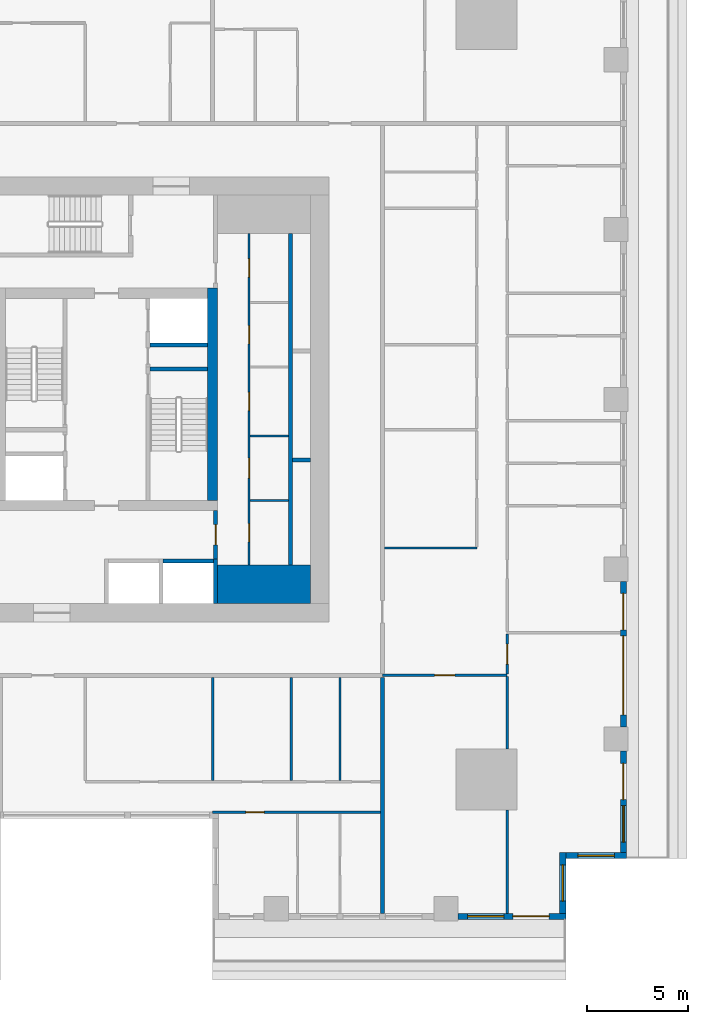
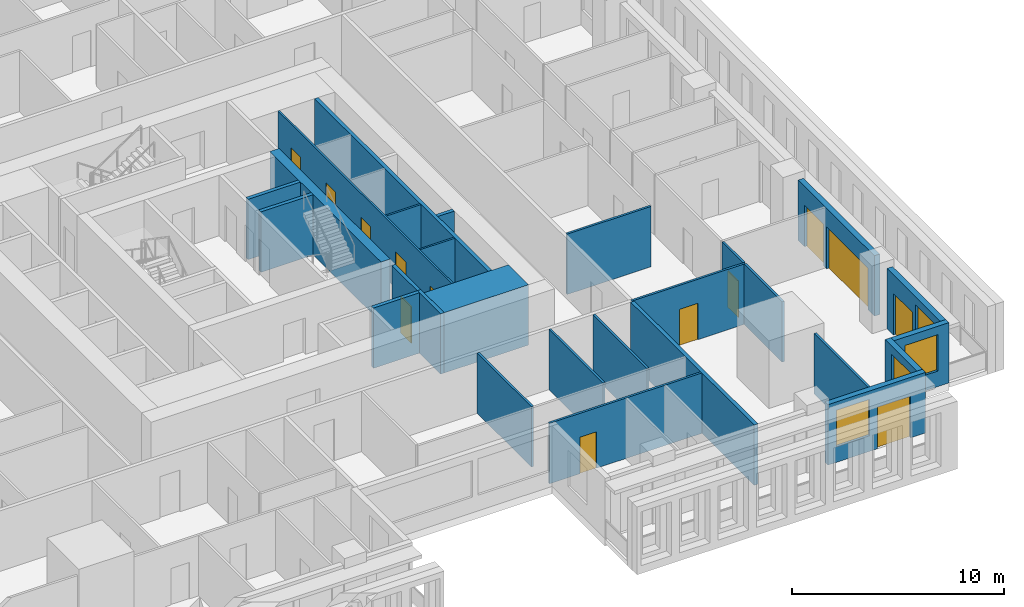
# One storey, part 5 of 15: 27 walls, 13 doors, 4 windows, 17 openings.
"""IFC4 building model written with IfcOpenShell, lengths in metres."""

from ifc_helpers import new_model, si_unit, direction, frame, frame_2d, origin, place, context, subcontext, project, spatial, rectangle, extrude, material, layer, layer_set, type_object, element, fill, save


model = new_model("IFC4")

# Units and contexts
model_context = context("Model", 3, precision=1e-05, world=origin(), true_north=direction((0.0, 1.0)))
body_context = subcontext(model_context, "Body", "Model", "MODEL_VIEW")
ifc_project = project(units=[si_unit("LENGTHUNIT", "METRE"), si_unit("AREAUNIT", "SQUARE_METRE"), si_unit("VOLUMEUNIT", "CUBIC_METRE"), si_unit("PLANEANGLEUNIT", "RADIAN"), si_unit("MASSUNIT", "GRAM", prefix="KILO")], contexts=[model_context])

# Site, building, storey
site_placement = place(None, origin())
site = spatial("IfcSite", under=ifc_project, at=site_placement, CompositionType="ELEMENT")
building_placement = place(site_placement, origin())
building = spatial("IfcBuilding", under=site, at=building_placement, Name="Khepri Terraces", CompositionType="ELEMENT")
storey_placement = place(building_placement, frame((0.0, 0.0, 38.699951171875)))
storey = spatial("IfcBuildingStorey", under=building, at=storey_placement, Name="L08", CompositionType="ELEMENT", Elevation=38.699951171875)

# Walls
ifc_material_1 = material(Name="Concrete C80/95", Category="concrete")
ifc_layer_1 = layer(ifc_material_1, 1.89990234375, Name="Concrete C80/95", Category="concrete")
ifc_layer_set_1 = layer_set([ifc_layer_1], Name="Concrete C80/95")
wall_type_1 = type_object("IfcWallType", Name="Core wall 1900 C80/95", PredefinedType="SHEAR", material=ifc_layer_set_1)
wall_1_placement = place(storey_placement, frame((5.5, -9.14990234375, 0.0), z_axis=(0.0, 0.0, 1.0), x_axis=(1.0, 0.0, 0.0)))
element("IfcWall", 1, at=wall_1_placement, inside=storey, type_object=wall_type_1, Name="Core wall PR02 L08", PredefinedType="SHEAR", context=body_context, shape_type="SweptSolid", body=[
    extrude(rectangle(XDim=4.60009765625, YDim=1.89990234375, at=frame_2d((2.300048828125, 0.0))), origin(), (0.0, 0.0, 1.0), 3.47998046875),
])
ifc_layer_2 = layer(ifc_material_1, 0.199951171875, Name="Concrete C80/95", Category="concrete")
ifc_layer_set_2 = layer_set([ifc_layer_2], Name="Concrete C80/95")
wall_type_2 = type_object("IfcWallType", Name="Core wall 200 C80/95", PredefinedType="SHEAR", material=ifc_layer_set_2)
wall_2_placement = place(storey_placement, frame((2.14990234375, 1.5, 0.0), z_axis=(0.0, 0.0, 1.0), x_axis=(1.0, 0.0, 0.0)))
element("IfcWall", 2, at=wall_2_placement, inside=storey, type_object=wall_type_2, Name="Core wall ST04 L08", PredefinedType="SHEAR", context=body_context, shape_type="SweptSolid", body=[
    extrude(rectangle(XDim=2.85009765625, YDim=0.199951171875, at=frame_2d((1.425048828125, 0.0))), origin(), (0.0, 0.0, 1.0), 3.47998046875),
])
wall_3_placement = place(storey_placement, frame((5.39990234375, -10.10009765625, 0.0), z_axis=(0.0, 0.0, 1.0), x_axis=(0.0, 1.0, 0.0)))
element("IfcWall", 3, at=wall_3_placement, inside=storey, type_object=wall_type_2, Name="Core wall SH03 L08", PredefinedType="SHEAR", context=body_context, shape_type="SweptSolid", body=[
    extrude(rectangle(XDim=2.2001953125, YDim=0.199951171875, at=frame_2d((1.10009765625, 0.0))), origin(), (0.0, 0.0, 1.0), 3.47998046875),
])
wall_4_placement = place(storey_placement, frame((9.10009765625, -8.199951171875, 0.0), z_axis=(0.0, 0.0, 1.0), x_axis=(0.0, 1.0, 0.0)))
element("IfcWall", 4, at=wall_4_placement, inside=storey, type_object=wall_type_2, Name="Core wall SH05 L08", PredefinedType="SHEAR", context=body_context, shape_type="SweptSolid", body=[
    extrude(rectangle(XDim=16.39990234375, YDim=0.199951171875, at=frame_2d((8.199951171875, 0.0))), origin(), (0.0, 0.0, 1.0), 3.47998046875),
])
wall_5_placement = place(storey_placement, frame((2.800048828125, -8.0, 0.0), z_axis=(0.0, 0.0, 1.0), x_axis=(1.0, 0.0, 0.0)))
element("IfcWall", 5, at=wall_5_placement, inside=storey, type_object=wall_type_2, Name="Core wall SH07 L08", PredefinedType="SHEAR", context=body_context, shape_type="SweptSolid", body=[
    extrude(rectangle(XDim=2.5, YDim=0.199951171875, at=frame_2d((1.25, 0.0))), origin(), (0.0, 0.0, 1.0), 3.47998046875),
])
wall_6_placement = place(storey_placement, frame((9.199951171875, -3.0, 0.0), z_axis=(0.0, 0.0, 1.0), x_axis=(1.0, 0.0, 0.0)))
element("IfcWall", 6, at=wall_6_placement, inside=storey, type_object=wall_type_2, Name="Core wall SH11 L08", PredefinedType="SHEAR", context=body_context, shape_type="SweptSolid", body=[
    extrude(rectangle(XDim=0.900146484375, YDim=0.199951171875, at=frame_2d((0.4501953125, 0.0))), origin(), (0.0, 0.0, 1.0), 3.47998046875),
])
wall_7_placement = place(storey_placement, frame((2.14990234375, 2.699951171875, 0.0), z_axis=(0.0, 0.0, 1.0), x_axis=(1.0, 0.0, 0.0)))
element("IfcWall", 7, at=wall_7_placement, inside=storey, type_object=wall_type_2, Name="Core wall SH18 L08", PredefinedType="SHEAR", context=body_context, shape_type="SweptSolid", body=[
    extrude(rectangle(XDim=2.85009765625, YDim=0.199951171875, at=frame_2d((1.425048828125, 0.0))), origin(), (0.0, 0.0, 1.0), 3.47998046875),
])
ifc_layer_3 = layer(ifc_material_1, 0.5, Name="Concrete C80/95", Category="concrete")
ifc_layer_set_3 = layer_set([ifc_layer_3], Name="Concrete C80/95")
wall_type_3 = type_object("IfcWallType", Name="Core wall 500 C80/95", PredefinedType="SHEAR", material=ifc_layer_set_3)
wall_8_placement = place(storey_placement, frame((5.25, -5.0, 0.0), z_axis=(0.0, 0.0, 1.0), x_axis=(0.0, 1.0, 0.0)))
element("IfcWall", 8, at=wall_8_placement, inside=storey, type_object=wall_type_3, Name="Core wall BX03 L08", PredefinedType="SHEAR", context=body_context, shape_type="SweptSolid", body=[
    extrude(rectangle(XDim=10.5, YDim=0.5, at=frame_2d((5.25, 0.0))), origin(), (0.0, 0.0, 1.0), 3.47998046875),
])

# Wall, openings, doors
ifc_material_2 = material(Name="Fire-rated gypsum board partition")
ifc_layer_4 = layer(ifc_material_2, 0.10009765625, Name="Fire-rated gypsum board partition")
ifc_layer_set_4 = layer_set([ifc_layer_4], Name="Fire-rated gypsum board partition")
wall_type_4 = type_object("IfcWallType", Name="WL-CORE-PART-100", PredefinedType="PARTITIONING", material=ifc_layer_set_4)
wall_9_placement = place(storey_placement, frame((7.050048828125, -8.199951171875, 0.0), z_axis=(0.0, 0.0, 1.0), x_axis=(0.0, 1.0, 0.0)))
wall_9 = element("IfcWall", 9, at=wall_9_placement, inside=storey, type_object=wall_type_4, Name="Core partition PT02 L08", PredefinedType="PARTITIONING", context=body_context, shape_type="SweptSolid", body=[
    extrude(rectangle(XDim=16.39990234375, YDim=0.10009765625, at=frame_2d((8.199951171875, 0.0))), origin(), (0.0, 0.0, 1.0), 3.47998046875),
])
opening_1_placement = place(wall_9_placement, frame((1.14990234375, 0.0, 0.0)))
opening_1 = element("IfcOpeningElement", 10, at=opening_1_placement, cuts=wall_9, Name="Opening L08-C22", PredefinedType="OPENING", context=body_context, shape_type="SweptSolid", body=[
    extrude(rectangle(XDim=0.89990234375, YDim=2.10009765625, at=frame_2d((0.449951171875, 1.050048828125))), frame((0.0, 0.06005859375, 0.0), z_axis=(0.0, -1.0, 0.0), x_axis=(1.0, 0.0, 0.0)), (0.0, 0.0, 1.0), 0.1201171875),
])
opening_2_placement = place(wall_9_placement, frame((4.300048828125, 0.0, 0.0)))
opening_2 = element("IfcOpeningElement", 11, at=opening_2_placement, cuts=wall_9, Name="Opening L08-C23", PredefinedType="OPENING", context=body_context, shape_type="SweptSolid", body=[
    extrude(rectangle(XDim=1.0, YDim=2.10009765625, at=frame_2d((0.5, 1.050048828125))), frame((0.0, 0.06005859375, 0.0), z_axis=(0.0, -1.0, 0.0), x_axis=(1.0, 0.0, 0.0)), (0.0, 0.0, 1.0), 0.1201171875),
])
opening_3_placement = place(wall_9_placement, frame((7.64990234375, 0.0, 0.0)))
opening_3 = element("IfcOpeningElement", 12, at=opening_3_placement, cuts=wall_9, Name="Opening L08-C24", PredefinedType="OPENING", context=body_context, shape_type="SweptSolid", body=[
    extrude(rectangle(XDim=0.89990234375, YDim=2.10009765625, at=frame_2d((0.449951171875, 1.050048828125))), frame((0.0, 0.06005859375, 0.0), z_axis=(0.0, -1.0, 0.0), x_axis=(1.0, 0.0, 0.0)), (0.0, 0.0, 1.0), 0.1201171875),
])
opening_4_placement = place(wall_9_placement, frame((10.949951171875, 0.0, 0.0)))
opening_4 = element("IfcOpeningElement", 13, at=opening_4_placement, cuts=wall_9, Name="Opening L08-C25", PredefinedType="OPENING", context=body_context, shape_type="SweptSolid", body=[
    extrude(rectangle(XDim=0.89990234375, YDim=2.10009765625, at=frame_2d((0.449951171875, 1.050048828125))), frame((0.0, 0.06005859375, 0.0), z_axis=(0.0, -1.0, 0.0), x_axis=(1.0, 0.0, 0.0)), (0.0, 0.0, 1.0), 0.1201171875),
])
opening_5_placement = place(wall_9_placement, frame((14.25, 0.0, 0.0)))
opening_5 = element("IfcOpeningElement", 14, at=opening_5_placement, cuts=wall_9, Name="Opening L08-C26", PredefinedType="OPENING", context=body_context, shape_type="SweptSolid", body=[
    extrude(rectangle(XDim=0.89990234375, YDim=2.10009765625, at=frame_2d((0.449951171875, 1.050048828125))), frame((0.0, 0.06005859375, 0.0), z_axis=(0.0, -1.0, 0.0), x_axis=(1.0, 0.0, 0.0)), (0.0, 0.0, 1.0), 0.1201171875),
])
ifc_material_3 = material(Name="Painted steel", Category="steel")
door_type_1 = type_object("IfcDoorType", Name="DR-CORE-SERVICE-900", OperationType="NOTDEFINED", PredefinedType="DOOR", material=ifc_material_3)
door_1_placement = place(opening_1_placement, frame((0.89990234375, 0.0, 0.0), z_axis=(0.0, 0.0, 1.0), x_axis=(-1.0, 0.0, 0.0)))
door_1 = element("IfcDoor", 15, at=door_1_placement, inside=storey, type_object=door_type_1, Name="Service room door L08-C22", OperationType="SINGLE_SWING_RIGHT", OverallHeight=2.10009765625, OverallWidth=0.89990234375, PredefinedType="DOOR", context=body_context, shape_type="SweptSolid", body=[
    extrude(rectangle(XDim=0.89990234375, YDim=2.10009765625, at=frame_2d((0.449951171875, 1.050048828125))), frame((0.0, 0.02490234375, 0.0), z_axis=(0.0, -1.0, 0.0), x_axis=(1.0, 0.0, 0.0)), (0.0, 0.0, 1.0), 0.050048828125),
])
fill(opening_1, door_1)
door_2_placement = place(opening_3_placement, frame((0.89990234375, 0.0, 0.0), z_axis=(0.0, 0.0, 1.0), x_axis=(-1.0, 0.0, 0.0)))
door_2 = element("IfcDoor", 16, at=door_2_placement, inside=storey, type_object=door_type_1, Name="Service room door L08-C24", OperationType="SINGLE_SWING_RIGHT", OverallHeight=2.10009765625, OverallWidth=0.89990234375, PredefinedType="DOOR", context=body_context, shape_type="SweptSolid", body=[
    extrude(rectangle(XDim=0.89990234375, YDim=2.10009765625, at=frame_2d((0.449951171875, 1.050048828125))), frame((0.0, 0.02490234375, 0.0), z_axis=(0.0, -1.0, 0.0), x_axis=(1.0, 0.0, 0.0)), (0.0, 0.0, 1.0), 0.050048828125),
])
fill(opening_3, door_2)
door_3_placement = place(opening_4_placement, frame((0.89990234375, 0.0, 0.0), z_axis=(0.0, 0.0, 1.0), x_axis=(-1.0, 0.0, 0.0)))
door_3 = element("IfcDoor", 17, at=door_3_placement, inside=storey, type_object=door_type_1, Name="Service room door L08-C25", OperationType="SINGLE_SWING_LEFT", OverallHeight=2.10009765625, OverallWidth=0.89990234375, PredefinedType="DOOR", context=body_context, shape_type="SweptSolid", body=[
    extrude(rectangle(XDim=0.89990234375, YDim=2.10009765625, at=frame_2d((0.449951171875, 1.050048828125))), frame((0.0, 0.02490234375, 0.0), z_axis=(0.0, -1.0, 0.0), x_axis=(1.0, 0.0, 0.0)), (0.0, 0.0, 1.0), 0.050048828125),
])
fill(opening_4, door_3)
door_4_placement = place(opening_5_placement, frame((0.89990234375, 0.0, 0.0), z_axis=(0.0, 0.0, 1.0), x_axis=(-1.0, 0.0, 0.0)))
door_4 = element("IfcDoor", 18, at=door_4_placement, inside=storey, type_object=door_type_1, Name="Service room door L08-C26", OperationType="SINGLE_SWING_LEFT", OverallHeight=2.10009765625, OverallWidth=0.89990234375, PredefinedType="DOOR", context=body_context, shape_type="SweptSolid", body=[
    extrude(rectangle(XDim=0.89990234375, YDim=2.10009765625, at=frame_2d((0.449951171875, 1.050048828125))), frame((0.0, 0.02490234375, 0.0), z_axis=(0.0, -1.0, 0.0), x_axis=(1.0, 0.0, 0.0)), (0.0, 0.0, 1.0), 0.050048828125),
])
fill(opening_5, door_4)
ifc_material_4 = material(Name="Timber veneer", Category="wood")
door_type_2 = type_object("IfcDoorType", Name="DR-CORE-WC-1000", OperationType="NOTDEFINED", PredefinedType="DOOR", material=ifc_material_4)
door_5_placement = place(opening_2_placement, frame((1.0, 0.0, 0.0), z_axis=(0.0, 0.0, 1.0), x_axis=(-1.0, 0.0, 0.0)))
door_5 = element("IfcDoor", 19, at=door_5_placement, inside=storey, type_object=door_type_2, Name="WC door L08-C23", OperationType="SINGLE_SWING_RIGHT", OverallHeight=2.10009765625, OverallWidth=1.0, PredefinedType="DOOR", context=body_context, shape_type="SweptSolid", body=[
    extrude(rectangle(XDim=1.0, YDim=2.10009765625, at=frame_2d((0.5, 1.050048828125))), frame((0.0, 0.02490234375, 0.0), z_axis=(0.0, -1.0, 0.0), x_axis=(1.0, 0.0, 0.0)), (0.0, 0.0, 1.0), 0.050048828125),
])
fill(opening_2, door_5)

# Walls
for number, where, z_axis, x_axis, name in (
    (20, (7.10009765625, -5.0, 0.0), (0.0, 0.0, 1.0), (1.0, 0.0, 0.0), "Core partition PT04 L08"),
    (21, (7.10009765625, -1.800048828125, 0.0), (0.0, 0.0, 1.0), (1.0, 0.0, 0.0), "Core partition PT05 L08"),
):
    element("IfcWall", number, at=place(storey_placement, frame(where, z_axis=z_axis, x_axis=x_axis)), inside=storey, type_object=wall_type_4, Name=name, PredefinedType="PARTITIONING", context=body_context, shape_type="SweptSolid", body=[
        extrude(rectangle(XDim=1.89990234375, YDim=0.10009765625, at=frame_2d((0.949951171875, 0.0))), origin(), (0.0, 0.0, 1.0), 3.47998046875),
    ])

# Wall, opening, door
ifc_layer_5 = layer(ifc_material_2, 0.199951171875, Name="Fire-rated gypsum board partition")
ifc_layer_set_5 = layer_set([ifc_layer_5], Name="Fire-rated gypsum board partition")
wall_type_5 = type_object("IfcWallType", Name="WL-CORE-PART-200", PredefinedType="PARTITIONING", material=ifc_layer_set_5)
wall_10_placement = place(storey_placement, frame((5.39990234375, -7.89990234375, 0.0), z_axis=(0.0, 0.0, 1.0), x_axis=(0.0, 1.0, 0.0)))
wall_10 = element("IfcWall", 22, at=wall_10_placement, inside=storey, type_object=wall_type_5, Name="Core partition PT03 L08", PredefinedType="PARTITIONING", context=body_context, shape_type="SweptSolid", body=[
    extrude(rectangle(XDim=2.39990234375, YDim=0.199951171875, at=frame_2d((1.199951171875, 0.0))), origin(), (0.0, 0.0, 1.0), 3.47998046875),
])
opening_6_placement = place(wall_10_placement, frame((0.699951171875, 0.0, 0.0)))
opening_6 = element("IfcOpeningElement", 23, at=opening_6_placement, cuts=wall_10, Name="Opening L08-C19", PredefinedType="OPENING", context=body_context, shape_type="SweptSolid", body=[
    extrude(rectangle(XDim=1.0, YDim=2.10009765625, at=frame_2d((0.5, 1.050048828125))), frame((0.0, 0.10986328125, 0.0), z_axis=(0.0, -1.0, 0.0), x_axis=(1.0, 0.0, 0.0)), (0.0, 0.0, 1.0), 0.219970703125),
])
door_type_3 = type_object("IfcDoorType", Name="DR-CORE-LOBBY-1000", OperationType="NOTDEFINED", PredefinedType="DOOR", material=ifc_material_3)
door_6_placement = place(opening_6_placement, origin())
door_6 = element("IfcDoor", 24, at=door_6_placement, inside=storey, type_object=door_type_3, Name="Lobby door L08-C19", OperationType="SINGLE_SWING_RIGHT", OverallHeight=2.10009765625, OverallWidth=1.0, PredefinedType="DOOR", context=body_context, shape_type="SweptSolid", body=[
    extrude(rectangle(XDim=1.0, YDim=2.10009765625, at=frame_2d((0.5, 1.050048828125))), frame((0.0, 0.02490234375, 0.0), z_axis=(0.0, -1.0, 0.0), x_axis=(1.0, 0.0, 0.0)), (0.0, 0.0, 1.0), 0.050048828125),
])
fill(opening_6, door_6)

# Wall
ifc_material_5 = material(Name="Fire-rated gypsum plasterboard partition, mineral wool")
ifc_layer_6 = layer(ifc_material_5, 0.199951171875, Name="Fire-rated gypsum plasterboard partition, mineral wool")
ifc_layer_set_6 = layer_set([ifc_layer_6], Name="Fire-rated gypsum plasterboard partition, mineral wool")
wall_type_6 = type_object("IfcWallType", Name="WL-CORR-200", PredefinedType="PARTITIONING", material=ifc_layer_set_6)
wall_11_placement = place(storey_placement, frame((13.64990234375, -25.419921875, 0.0), z_axis=(0.0, 0.0, 1.0), x_axis=(0.0, 1.0, 0.0)))
element("IfcWall", 25, at=wall_11_placement, inside=storey, type_object=wall_type_6, Name="Partition P-006 L08", PredefinedType="PARTITIONING", context=body_context, shape_type="SweptSolid", body=[
    extrude(rectangle(XDim=11.669921875, YDim=0.199951171875, at=frame_2d((5.8349609375, 0.0))), origin(), (0.0, 0.0, 1.0), 3.47998046875),
])

# Wall, opening, window
ifc_material_6 = material(Name="Precast concrete C50/60 warm stone", Category="masonry")
ifc_layer_7 = layer(ifc_material_6, 0.300048828125, Name="Precast concrete C50/60 warm stone", Category="masonry")
ifc_layer_set_7 = layer_set([ifc_layer_7], Name="Precast concrete C50/60 warm stone")
wall_type_7 = type_object("IfcWallType", Name="WL-EXT-PRECAST-300", PredefinedType="STANDARD", material=ifc_layer_set_7)
wall_12_placement = place(storey_placement, frame((22.719970703125, -22.570068359375, 0.0), z_axis=(0.0, 0.0, 1.0), x_axis=(1.0, 0.0, 0.0)))
wall_12 = element("IfcWall", 26, at=wall_12_placement, inside=storey, type_object=wall_type_7, Name="External wall L08 S", PredefinedType="STANDARD", context=body_context, shape_type="SweptSolid", body=[
    extrude(rectangle(XDim=3.0, YDim=0.300048828125, at=frame_2d((1.5, 0.0))), origin(), (0.0, 0.0, 1.0), 3.47998046875),
])
opening_7_placement = place(wall_12_placement, frame((0.60009765625, 0.0, 0.89990234375)))
opening_7 = element("IfcOpeningElement", 27, at=opening_7_placement, cuts=wall_12, Name="Opening W1", PredefinedType="OPENING", context=body_context, shape_type="SweptSolid", body=[
    extrude(rectangle(XDim=1.800048828125, YDim=2.10009765625, at=frame_2d((0.89990234375, 1.050048828125))), frame((0.0, 0.16015625, 0.0), z_axis=(0.0, -1.0, 0.0), x_axis=(1.0, 0.0, 0.0)), (0.0, 0.0, 1.0), 0.320068359375),
])
ifc_material_7 = material(Name="Clear glass", Category="glass")
window_type = type_object("IfcWindowType", Name="WIN-RES-1800x2100", PartitioningType="SINGLE_PANEL", PredefinedType="WINDOW", material=ifc_material_7)
window_1_placement = place(opening_7_placement, origin())
window_1 = element("IfcWindow", 28, at=window_1_placement, inside=storey, type_object=window_type, Name="Window L08 S", OverallHeight=2.10009765625, OverallWidth=1.800048828125, PartitioningType="SINGLE_PANEL", PredefinedType="WINDOW", context=body_context, shape_type="SweptSolid", body=[
    extrude(rectangle(XDim=1.800048828125, YDim=2.10009765625, at=frame_2d((0.89990234375, 1.050048828125))), frame((0.0, 0.030029296875, 0.0), z_axis=(0.0, -1.0, 0.0), x_axis=(1.0, 0.0, 0.0)), (0.0, 0.0, 1.0), 0.06005859375),
])
fill(opening_7, window_1)

# Wall, openings, door, window
wall_13_placement = place(storey_placement, frame((25.570068359375, -22.419921875, 0.0), z_axis=(0.0, 0.0, 1.0), x_axis=(0.0, 1.0, 0.0)))
wall_13 = element("IfcWall", 29, at=wall_13_placement, inside=storey, type_object=wall_type_7, Name="External wall L08 E", PredefinedType="STANDARD", context=body_context, shape_type="SweptSolid", body=[
    extrude(rectangle(XDim=5.02001953125, YDim=0.300048828125, at=frame_2d((2.510009765625, 0.0))), origin(), (0.0, 0.0, 1.0), 3.47998046875),
])
opening_8_placement = place(wall_13_placement, frame((0.52001953125, 0.0, 0.89990234375)))
opening_8 = element("IfcOpeningElement", 30, at=opening_8_placement, cuts=wall_13, Name="Opening W1", PredefinedType="OPENING", context=body_context, shape_type="SweptSolid", body=[
    extrude(rectangle(XDim=1.800048828125, YDim=2.10009765625, at=frame_2d((0.89990234375, 1.050048828125))), frame((0.0, 0.16015625, 0.0), z_axis=(0.0, -1.0, 0.0), x_axis=(1.0, 0.0, 0.0)), (0.0, 0.0, 1.0), 0.320068359375),
])
opening_9_placement = place(wall_13_placement, frame((2.6201171875, 0.0, 0.0)))
opening_9 = element("IfcOpeningElement", 31, at=opening_9_placement, cuts=wall_13, Name="Opening ED-L08-01", PredefinedType="OPENING", context=body_context, shape_type="SweptSolid", body=[
    extrude(rectangle(XDim=1.800048828125, YDim=2.39990234375, at=frame_2d((0.89990234375, 1.199951171875))), frame((0.0, 0.16015625, 0.0), z_axis=(0.0, -1.0, 0.0), x_axis=(1.0, 0.0, 0.0)), (0.0, 0.0, 1.0), 0.320068359375),
])
ifc_material_8 = material(Name="Anodised aluminium bronze glazed door", Category="aluminium")
door_type_4 = type_object("IfcDoorType", Name="DR-BAL-SLIDE-1800x2400", OperationType="NOTDEFINED", PredefinedType="DOOR", material=ifc_material_8)
door_7_placement = place(opening_9_placement, origin())
door_7 = element("IfcDoor", 32, at=door_7_placement, inside=storey, type_object=door_type_4, Name="Balcony door L08 E", OperationType="SLIDING_TO_RIGHT", OverallHeight=2.39990234375, OverallWidth=1.800048828125, PredefinedType="DOOR", context=body_context, shape_type="SweptSolid", body=[
    extrude(rectangle(XDim=1.800048828125, YDim=2.39990234375, at=frame_2d((0.89990234375, 1.199951171875))), frame((0.0, 0.02490234375, 0.0), z_axis=(0.0, -1.0, 0.0), x_axis=(1.0, 0.0, 0.0)), (0.0, 0.0, 1.0), 0.050048828125),
])
fill(opening_9, door_7)
window_2_placement = place(opening_8_placement, origin())
window_2 = element("IfcWindow", 33, at=window_2_placement, inside=storey, type_object=window_type, Name="Window L08 E", OverallHeight=2.10009765625, OverallWidth=1.800048828125, PartitioningType="SINGLE_PANEL", PredefinedType="WINDOW", context=body_context, shape_type="SweptSolid", body=[
    extrude(rectangle(XDim=1.800048828125, YDim=2.10009765625, at=frame_2d((0.89990234375, 1.050048828125))), frame((0.0, 0.030029296875, 0.0), z_axis=(0.0, -1.0, 0.0), x_axis=(1.0, 0.0, 0.0)), (0.0, 0.0, 1.0), 0.06005859375),
])
fill(opening_8, window_2)

# Wall, openings, doors
wall_14_placement = place(storey_placement, frame((25.570068359375, -16.199951171875, 0.0), z_axis=(0.0, 0.0, 1.0), x_axis=(0.0, 1.0, 0.0)))
wall_14 = element("IfcWall", 34, at=wall_14_placement, inside=storey, type_object=wall_type_7, Name="External wall L08 E", PredefinedType="STANDARD", context=body_context, shape_type="SweptSolid", body=[
    extrude(rectangle(XDim=7.199951171875, YDim=0.300048828125, at=frame_2d((3.60009765625, 0.0))), origin(), (0.0, 0.0, 1.0), 3.47998046875),
])
opening_10_placement = place(wall_14_placement, frame((0.60009765625, 0.0, 0.0)))
opening_10 = element("IfcOpeningElement", 35, at=opening_10_placement, cuts=wall_14, Name="Opening ED-L08-02", PredefinedType="OPENING", context=body_context, shape_type="SweptSolid", body=[
    extrude(rectangle(XDim=3.89990234375, YDim=2.39990234375, at=frame_2d((1.949951171875, 1.199951171875))), frame((0.0, 0.16015625, 0.0), z_axis=(0.0, -1.0, 0.0), x_axis=(1.0, 0.0, 0.0)), (0.0, 0.0, 1.0), 0.320068359375),
])
opening_11_placement = place(wall_14_placement, frame((4.800048828125, 0.0, 0.0)))
opening_11 = element("IfcOpeningElement", 36, at=opening_11_placement, cuts=wall_14, Name="Opening ED-L08-03", PredefinedType="OPENING", context=body_context, shape_type="SweptSolid", body=[
    extrude(rectangle(XDim=1.800048828125, YDim=2.39990234375, at=frame_2d((0.89990234375, 1.199951171875))), frame((0.0, 0.16015625, 0.0), z_axis=(0.0, -1.0, 0.0), x_axis=(1.0, 0.0, 0.0)), (0.0, 0.0, 1.0), 0.320068359375),
])
door_8_placement = place(opening_11_placement, origin())
door_8 = element("IfcDoor", 37, at=door_8_placement, inside=storey, type_object=door_type_4, Name="Balcony door L08 E", OperationType="SLIDING_TO_RIGHT", OverallHeight=2.39990234375, OverallWidth=1.800048828125, PredefinedType="DOOR", context=body_context, shape_type="SweptSolid", body=[
    extrude(rectangle(XDim=1.800048828125, YDim=2.39990234375, at=frame_2d((0.89990234375, 1.199951171875))), frame((0.0, 0.02490234375, 0.0), z_axis=(0.0, -1.0, 0.0), x_axis=(1.0, 0.0, 0.0)), (0.0, 0.0, 1.0), 0.050048828125),
])
fill(opening_11, door_8)
door_type_5 = type_object("IfcDoorType", Name="DR-BAL-SLIDE-3900x2400", OperationType="NOTDEFINED", PredefinedType="DOOR", material=ifc_material_8)
door_9_placement = place(opening_10_placement, origin())
door_9 = element("IfcDoor", 38, at=door_9_placement, inside=storey, type_object=door_type_5, Name="Balcony door L08 E", OperationType="SLIDING_TO_LEFT", OverallHeight=2.39990234375, OverallWidth=3.89990234375, PredefinedType="DOOR", context=body_context, shape_type="SweptSolid", body=[
    extrude(rectangle(XDim=3.89990234375, YDim=2.39990234375, at=frame_2d((1.949951171875, 1.199951171875))), frame((0.0, 0.02490234375, 0.0), z_axis=(0.0, -1.0, 0.0), x_axis=(1.0, 0.0, 0.0)), (0.0, 0.0, 1.0), 0.050048828125),
])
fill(opening_10, door_9)

# Wall, openings, door, window
wall_15_placement = place(storey_placement, frame((17.39990234375, -25.570068359375, 0.0), z_axis=(0.0, 0.0, 1.0), x_axis=(1.0, 0.0, 0.0)))
wall_15 = element("IfcWall", 39, at=wall_15_placement, inside=storey, type_object=wall_type_7, Name="External wall L08 S", PredefinedType="STANDARD", context=body_context, shape_type="SweptSolid", body=[
    extrude(rectangle(XDim=5.320068359375, YDim=0.300048828125, at=frame_2d((2.66015625, 0.0))), origin(), (0.0, 0.0, 1.0), 3.47998046875),
])
opening_12_placement = place(wall_15_placement, frame((2.699951171875, 0.0, 0.0)))
opening_12 = element("IfcOpeningElement", 40, at=opening_12_placement, cuts=wall_15, Name="Opening ED-L08-23", PredefinedType="OPENING", context=body_context, shape_type="SweptSolid", body=[
    extrude(rectangle(XDim=1.800048828125, YDim=2.39990234375, at=frame_2d((0.89990234375, 1.199951171875))), frame((0.0, 0.16015625, 0.0), z_axis=(0.0, -1.0, 0.0), x_axis=(1.0, 0.0, 0.0)), (0.0, 0.0, 1.0), 0.320068359375),
])
opening_13_placement = place(wall_15_placement, frame((0.4599609375, 0.0, 0.89990234375)))
opening_13 = element("IfcOpeningElement", 41, at=opening_13_placement, cuts=wall_15, Name="Opening W1", PredefinedType="OPENING", context=body_context, shape_type="SweptSolid", body=[
    extrude(rectangle(XDim=1.800048828125, YDim=2.10009765625, at=frame_2d((0.89990234375, 1.050048828125))), frame((0.0, 0.16015625, 0.0), z_axis=(0.0, -1.0, 0.0), x_axis=(1.0, 0.0, 0.0)), (0.0, 0.0, 1.0), 0.320068359375),
])
door_10_placement = place(opening_12_placement, origin())
door_10 = element("IfcDoor", 42, at=door_10_placement, inside=storey, type_object=door_type_4, Name="Balcony door L08 S", OperationType="SLIDING_TO_LEFT", OverallHeight=2.39990234375, OverallWidth=1.800048828125, PredefinedType="DOOR", context=body_context, shape_type="SweptSolid", body=[
    extrude(rectangle(XDim=1.800048828125, YDim=2.39990234375, at=frame_2d((0.89990234375, 1.199951171875))), frame((0.0, 0.02490234375, 0.0), z_axis=(0.0, -1.0, 0.0), x_axis=(1.0, 0.0, 0.0)), (0.0, 0.0, 1.0), 0.050048828125),
])
fill(opening_12, door_10)
window_3_placement = place(opening_13_placement, origin())
window_3 = element("IfcWindow", 43, at=window_3_placement, inside=storey, type_object=window_type, Name="Window L08 S", OverallHeight=2.10009765625, OverallWidth=1.800048828125, PartitioningType="SINGLE_PANEL", PredefinedType="WINDOW", context=body_context, shape_type="SweptSolid", body=[
    extrude(rectangle(XDim=1.800048828125, YDim=2.10009765625, at=frame_2d((0.89990234375, 1.050048828125))), frame((0.0, 0.030029296875, 0.0), z_axis=(0.0, -1.0, 0.0), x_axis=(1.0, 0.0, 0.0)), (0.0, 0.0, 1.0), 0.06005859375),
])
fill(opening_13, window_3)

# Wall, opening, window
wall_16_placement = place(storey_placement, frame((22.570068359375, -25.419921875, 0.0), z_axis=(0.0, 0.0, 1.0), x_axis=(0.0, 1.0, 0.0)))
wall_16 = element("IfcWall", 44, at=wall_16_placement, inside=storey, type_object=wall_type_7, Name="External wall L08 E", PredefinedType="STANDARD", context=body_context, shape_type="SweptSolid", body=[
    extrude(rectangle(XDim=3.0, YDim=0.300048828125, at=frame_2d((1.5, 0.0))), origin(), (0.0, 0.0, 1.0), 3.47998046875),
])
opening_14_placement = place(wall_16_placement, frame((0.60009765625, 0.0, 0.89990234375)))
opening_14 = element("IfcOpeningElement", 45, at=opening_14_placement, cuts=wall_16, Name="Opening W1", PredefinedType="OPENING", context=body_context, shape_type="SweptSolid", body=[
    extrude(rectangle(XDim=1.800048828125, YDim=2.10009765625, at=frame_2d((0.89990234375, 1.050048828125))), frame((0.0, 0.16015625, 0.0), z_axis=(0.0, -1.0, 0.0), x_axis=(1.0, 0.0, 0.0)), (0.0, 0.0, 1.0), 0.320068359375),
])
window_4_placement = place(opening_14_placement, origin())
window_4 = element("IfcWindow", 46, at=window_4_placement, inside=storey, type_object=window_type, Name="Window L08 E", OverallHeight=2.10009765625, OverallWidth=1.800048828125, PartitioningType="SINGLE_PANEL", PredefinedType="WINDOW", context=body_context, shape_type="SweptSolid", body=[
    extrude(rectangle(XDim=1.800048828125, YDim=2.10009765625, at=frame_2d((0.89990234375, 1.050048828125))), frame((0.0, 0.030029296875, 0.0), z_axis=(0.0, -1.0, 0.0), x_axis=(1.0, 0.0, 0.0)), (0.0, 0.0, 1.0), 0.06005859375),
])
fill(opening_14, window_4)

# Wall
ifc_material_9 = material(Name="Gypsum plasterboard partition")
ifc_layer_8 = layer(ifc_material_9, 0.1201171875, Name="Gypsum plasterboard partition")
ifc_layer_set_8 = layer_set([ifc_layer_8], Name="Gypsum plasterboard partition")
wall_type_8 = type_object("IfcWallType", Name="WL-PART-120", PredefinedType="PARTITIONING", material=ifc_layer_set_8)
wall_17_placement = place(storey_placement, frame((19.820068359375, -25.419921875, 0.0), z_axis=(0.0, 0.0, 1.0), x_axis=(0.0, 1.0, 0.0)))
element("IfcWall", 47, at=wall_17_placement, inside=storey, type_object=wall_type_8, Name="Partition P-007 L08", PredefinedType="PARTITIONING", context=body_context, shape_type="SweptSolid", body=[
    extrude(rectangle(XDim=5.119873046875, YDim=0.1201171875, at=frame_2d((2.56005859375, 0.0))), origin(), (0.0, 0.0, 1.0), 3.47998046875),
])

# Wall, opening, door
wall_18_placement = place(storey_placement, frame((5.25, -20.419921875, 0.0), z_axis=(0.0, 0.0, 1.0), x_axis=(1.0, 0.0, 0.0)))
wall_18 = element("IfcWall", 48, at=wall_18_placement, inside=storey, type_object=wall_type_8, Name="Partition P-010 L08", PredefinedType="PARTITIONING", context=body_context, shape_type="SweptSolid", body=[
    extrude(rectangle(XDim=8.300048828125, YDim=0.1201171875, at=frame_2d((4.14990234375, 0.0))), origin(), (0.0, 0.0, 1.0), 3.47998046875),
])
opening_15_placement = place(wall_18_placement, frame((1.64990234375, 0.0, 0.0)))
opening_15 = element("IfcOpeningElement", 49, at=opening_15_placement, cuts=wall_18, Name="Opening D3", PredefinedType="OPENING", context=body_context, shape_type="SweptSolid", body=[
    extrude(rectangle(XDim=0.89990234375, YDim=2.10009765625, at=frame_2d((0.449951171875, 1.050048828125))), frame((0.0, 0.070068359375, 0.0), z_axis=(0.0, -1.0, 0.0), x_axis=(1.0, 0.0, 0.0)), (0.0, 0.0, 1.0), 0.14013671875),
])
ifc_material_10 = material(Name="Timber door leaf", Category="wood")
door_type_6 = type_object("IfcDoorType", Name="DR-INT-900", OperationType="NOTDEFINED", PredefinedType="DOOR", material=ifc_material_10)
door_11_placement = place(opening_15_placement, frame((0.89990234375, 0.0, 0.0), z_axis=(0.0, 0.0, 1.0), x_axis=(-1.0, 0.0, 0.0)))
door_11 = element("IfcDoor", 50, at=door_11_placement, inside=storey, type_object=door_type_6, Name="Door Master Bedroom", OperationType="SINGLE_SWING_RIGHT", OverallHeight=2.10009765625, OverallWidth=0.89990234375, PredefinedType="DOOR", context=body_context, shape_type="SweptSolid", body=[
    extrude(rectangle(XDim=0.89990234375, YDim=2.10009765625, at=frame_2d((0.449951171875, 1.050048828125))), frame((0.0, 0.02490234375, 0.0), z_axis=(0.0, -1.0, 0.0), x_axis=(1.0, 0.0, 0.0)), (0.0, 0.0, 1.0), 0.050048828125),
])
fill(opening_15, door_11)

# Walls
for number, where, z_axis, x_axis, name in (
    (51, (5.25, -18.860107421875, 0.0), (0.0, 0.0, 1.0), (0.0, 1.0, 0.0), "Partition P-016 L08"),
    (52, (9.14990234375, -18.860107421875, 0.0), (0.0, 0.0, 1.0), (0.0, 1.0, 0.0), "Partition P-017 L08"),
    (53, (11.550048828125, -18.860107421875, 0.0), (0.0, 0.0, 1.0), (0.0, 1.0, 0.0), "Partition P-018 L08"),
):
    element("IfcWall", number, at=place(storey_placement, frame(where, z_axis=z_axis, x_axis=x_axis)), inside=storey, type_object=wall_type_8, Name=name, PredefinedType="PARTITIONING", context=body_context, shape_type="SweptSolid", body=[
        extrude(rectangle(XDim=5.110107421875, YDim=0.1201171875, at=frame_2d((2.55517578125, 0.0))), origin(), (0.0, 0.0, 1.0), 3.47998046875),
    ])
wall_19_placement = place(storey_placement, frame((19.820068359375, -17.300048828125, 0.0), z_axis=(0.0, 0.0, 1.0), x_axis=(0.0, 1.0, 0.0)))
element("IfcWall", 54, at=wall_19_placement, inside=storey, type_object=wall_type_8, Name="Partition P-022 L08", PredefinedType="PARTITIONING", context=body_context, shape_type="SweptSolid", body=[
    extrude(rectangle(XDim=3.590087890625, YDim=0.1201171875, at=frame_2d((1.794921875, 0.0))), origin(), (0.0, 0.0, 1.0), 3.47998046875),
])

# Wall, opening, door
wall_20_placement = place(storey_placement, frame((13.64990234375, -13.64990234375, 0.0), z_axis=(0.0, 0.0, 1.0), x_axis=(1.0, 0.0, 0.0)))
wall_20 = element("IfcWall", 55, at=wall_20_placement, inside=storey, type_object=wall_type_8, Name="Partition P-024 L08", PredefinedType="PARTITIONING", context=body_context, shape_type="SweptSolid", body=[
    extrude(rectangle(XDim=6.170166015625, YDim=0.1201171875, at=frame_2d((3.0849609375, 0.0))), origin(), (0.0, 0.0, 1.0), 3.47998046875),
])
opening_16_placement = place(wall_20_placement, frame((2.5849609375, 0.0, 0.0)))
opening_16 = element("IfcOpeningElement", 56, at=opening_16_placement, cuts=wall_20, Name="Opening D2", PredefinedType="OPENING", context=body_context, shape_type="SweptSolid", body=[
    extrude(rectangle(XDim=1.0, YDim=2.10009765625, at=frame_2d((0.5, 1.050048828125))), frame((0.0, 0.070068359375, 0.0), z_axis=(0.0, -1.0, 0.0), x_axis=(1.0, 0.0, 0.0)), (0.0, 0.0, 1.0), 0.14013671875),
])
ifc_material_11 = material(Name="Timber door leaf, living room door", Category="wood")
door_type_7 = type_object("IfcDoorType", Name="DR-INT-1000", OperationType="NOTDEFINED", PredefinedType="DOOR", material=ifc_material_11)
door_12_placement = place(opening_16_placement, frame((1.0, 0.0, 0.0), z_axis=(0.0, 0.0, 1.0), x_axis=(-1.0, 0.0, 0.0)))
door_12 = element("IfcDoor", 57, at=door_12_placement, inside=storey, type_object=door_type_7, Name="Door Family Room", OperationType="SINGLE_SWING_RIGHT", OverallHeight=2.10009765625, OverallWidth=1.0, PredefinedType="DOOR", context=body_context, shape_type="SweptSolid", body=[
    extrude(rectangle(XDim=1.0, YDim=2.10009765625, at=frame_2d((0.5, 1.050048828125))), frame((0.0, 0.02490234375, 0.0), z_axis=(0.0, -1.0, 0.0), x_axis=(1.0, 0.0, 0.0)), (0.0, 0.0, 1.0), 0.050048828125),
])
fill(opening_16, door_12)

wall_21_placement = place(storey_placement, frame((19.820068359375, -13.590087890625, 0.0), z_axis=(0.0, 0.0, 1.0), x_axis=(0.0, 1.0, 0.0)))
wall_21 = element("IfcWall", 58, at=wall_21_placement, inside=storey, type_object=wall_type_8, Name="Partition P-025 L08", PredefinedType="PARTITIONING", context=body_context, shape_type="SweptSolid", body=[
    extrude(rectangle(XDim=1.97998046875, YDim=0.1201171875, at=frame_2d((0.989990234375, 0.0))), origin(), (0.0, 0.0, 1.0), 3.47998046875),
])
opening_17_placement = place(wall_21_placement, frame((0.489990234375, 0.0, 0.0)))
opening_17 = element("IfcOpeningElement", 59, at=opening_17_placement, cuts=wall_21, Name="Opening D2", PredefinedType="OPENING", context=body_context, shape_type="SweptSolid", body=[
    extrude(rectangle(XDim=1.0, YDim=2.10009765625, at=frame_2d((0.5, 1.050048828125))), frame((0.0, 0.070068359375, 0.0), z_axis=(0.0, -1.0, 0.0), x_axis=(1.0, 0.0, 0.0)), (0.0, 0.0, 1.0), 0.14013671875),
])
door_13_placement = place(opening_17_placement, frame((1.0, 0.0, 0.0), z_axis=(0.0, 0.0, 1.0), x_axis=(-1.0, 0.0, 0.0)))
door_13 = element("IfcDoor", 60, at=door_13_placement, inside=storey, type_object=door_type_7, Name="Door Living Room", OperationType="SINGLE_SWING_RIGHT", OverallHeight=2.10009765625, OverallWidth=1.0, PredefinedType="DOOR", context=body_context, shape_type="SweptSolid", body=[
    extrude(rectangle(XDim=1.0, YDim=2.10009765625, at=frame_2d((0.5, 1.050048828125))), frame((0.0, 0.02490234375, 0.0), z_axis=(0.0, -1.0, 0.0), x_axis=(1.0, 0.0, 0.0)), (0.0, 0.0, 1.0), 0.050048828125),
])
fill(opening_17, door_13)

# Wall
wall_22_placement = place(storey_placement, frame((13.75, -7.35009765625, 0.0), z_axis=(0.0, 0.0, 1.0), x_axis=(1.0, 0.0, 0.0)))
element("IfcWall", 61, at=wall_22_placement, inside=storey, type_object=wall_type_8, Name="Partition P-038 L08", PredefinedType="PARTITIONING", context=body_context, shape_type="SweptSolid", body=[
    extrude(rectangle(XDim=4.570068359375, YDim=0.1201171875, at=frame_2d((2.28515625, 0.0))), origin(), (0.0, 0.0, 1.0), 3.47998046875),
])

save(model, "model.ifc")
